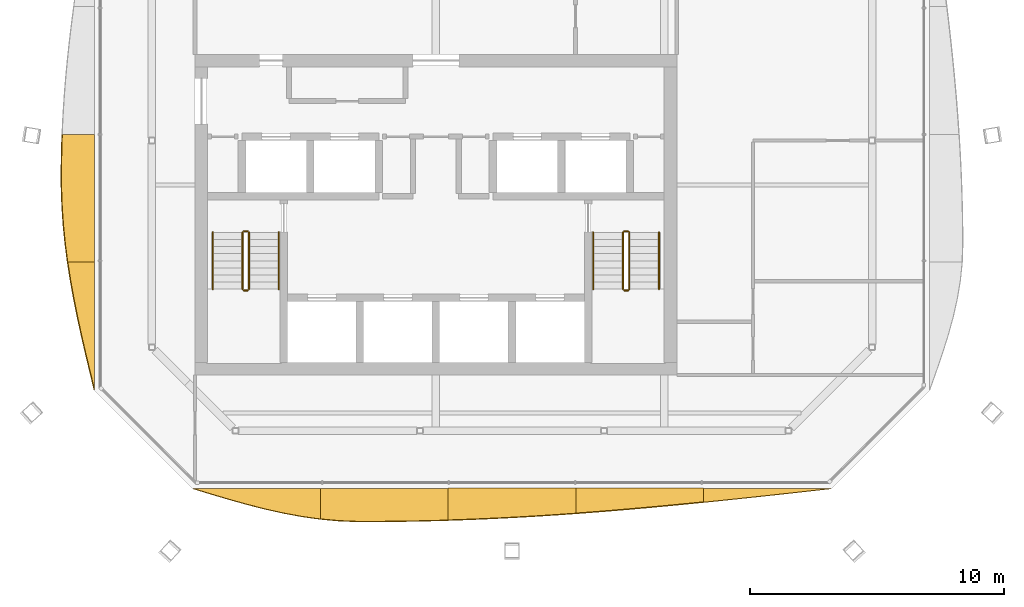
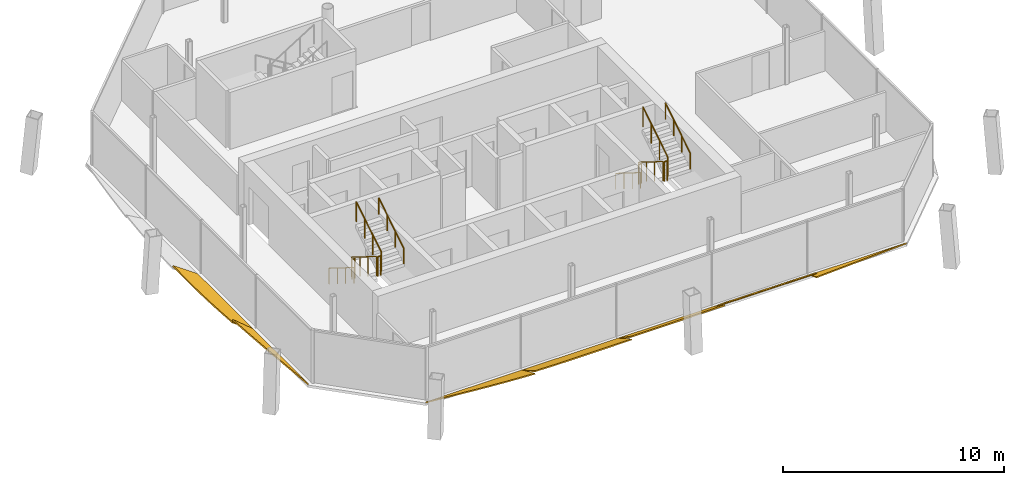
# One storey, part 12 of 14: 12 railings, 7 shading devices.
"""IFC4 building model written with IfcOpenShell, lengths in metres."""

from ifc_helpers import new_model, si_unit, direction, frame, origin, origin_2d, place, context, subcontext, project, spatial, polyline, circle, outline, extrude, material, layer, layer_set, type_object, element, save


model = new_model("IFC4")

# Units and contexts
model_context = context("Model", 3, precision=1e-05, world=origin(), true_north=direction((0.0, 1.0)))
body_context = subcontext(model_context, "Body", "Model", "MODEL_VIEW")
ifc_project = project(units=[si_unit("LENGTHUNIT", "METRE"), si_unit("AREAUNIT", "SQUARE_METRE"), si_unit("VOLUMEUNIT", "CUBIC_METRE"), si_unit("PLANEANGLEUNIT", "RADIAN"), si_unit("MASSUNIT", "GRAM", prefix="KILO")], contexts=[model_context])

# Site, building, storey
site_placement = place(None, origin())
site = spatial("IfcSite", under=ifc_project, at=site_placement, CompositionType="ELEMENT")
building_placement = place(site_placement, origin())
building = spatial("IfcBuilding", under=site, at=building_placement, Name="Tskaro Facet Tower", CompositionType="ELEMENT")
storey_placement = place(building_placement, frame((0.0, 0.0, 275.25)))
storey = spatial("IfcBuildingStorey", under=building, at=storey_placement, Name="L73", CompositionType="ELEMENT", Elevation=275.25)

# Shading devices
ifc_material_1 = material(Name="Bronze anodised aluminium 6063-T6", Category="aluminium")
ifc_layer = layer(ifc_material_1, 0.06005859375, Name="Bronze anodised aluminium 6063-T6")
ifc_layer_set = layer_set([ifc_layer], Name="Bronze anodised aluminium 6063-T6")
shading_device_type = type_object("IfcShadingDeviceType", Name="Bronze sun blade (FN1)", PredefinedType="USERDEFINED", material=ifc_layer_set)
shading_device_1_placement = place(storey_placement, frame((-9.5830078125, -16.470703125, 0.054443359375), z_axis=(1.3252264e-05, 0.42259666913, 0.906317855426), x_axis=(0.999999999912, -5.600363e-06, -1.2010764e-05)))
element("IfcShadingDevice", 1, at=shading_device_1_placement, inside=storey, type_object=shading_device_type, Name="Fin blade south 1", ObjectType="FIN", PredefinedType="USERDEFINED", context=body_context, shape_type="SweptSolid", body=[
    extrude(outline(polyline([(0.0, 0.0), (5.033203124558028, 0.0), (5.033203125581713, -1.3312220624197555), (4.314208983141624, -1.220574454406119), (3.5952148431941593, -1.0750895904892945), (2.8762207041572148, -0.8991331589118191), (2.1569824206936263, -0.6977197319614801), (1.4379882806749018, -0.47654261192696595), (0.7189941413006672, -0.241604620141765), (0.0, 0.0)])), origin(), (0.0, 0.0, -1.0), 0.06005859375),
])
shading_device_2_placement = place(storey_placement, frame((-4.5498046875, -16.466064453125, 0.052001953125), z_axis=(1.289567e-06, 0.499990919261, 0.866030646487), x_axis=(0.999999999999, -6.44772e-07, -1.116805e-06)))
element("IfcShadingDevice", 2, at=shading_device_2_placement, inside=storey, type_object=shading_device_type, Name="Fin blade south 2", ObjectType="FIN", PredefinedType="USERDEFINED", context=body_context, shape_type="SweptSolid", body=[
    extrude(outline(polyline([(0.0, 0.0), (5.033203124995815, 0.0), (5.033203125069744, -1.4444614677194572), (4.3142089844232325, -1.467869697158675), (3.5952148436276525, -1.4857065122810886), (2.8762207031130758, -1.4980612782544773), (2.1569824218244307, -1.5048446299110612), (1.6608886719091882, -1.5059344991553176), (1.437988281273098, -1.5039661939301077), (0.7189941406453249, -1.469293067761757), (5.3424024634083885e-11, -1.3931634637684724), (0.0, 0.0)])), origin(), (0.0, 0.0, -1.0), 0.06005859375),
])
shading_device_3_placement = place(storey_placement, frame((0.4833984375, -16.461669921875, 0.049072265625), z_axis=(-1.3357615e-05, 0.573640543259, 0.819107152302), x_axis=(0.999999999911, 7.662469e-06, 1.0941318e-05)))
element("IfcShadingDevice", 3, at=shading_device_3_placement, inside=storey, type_object=shading_device_type, Name="Fin blade south 3", ObjectType="FIN", PredefinedType="USERDEFINED", context=body_context, shape_type="SweptSolid", body=[
    extrude(outline(polyline([(0.0, 0.0), (5.033203124550973, 0.0), (5.03320312506369, -1.2026868982482992), (4.314208983790204, -1.2640492790163118), (3.595214843865316, -1.3210115101947941), (2.876220701016809, -1.3727534902371934), (2.1569824218328613, -1.419355339732925), (1.4379882830214923, -1.4608769870533425), (0.7189941404860016, -1.4968383569447856), (-1.231669908883807e-09, -1.5271795210359005), (0.0, 0.0)])), origin(), (0.0, 0.0, -1.0), 0.06005859375),
])
shading_device_4_placement = place(storey_placement, frame((5.5166015625, -16.45751953125, 0.0458984375), z_axis=(-1.5875348e-05, 0.642866551812, 0.765978195714), x_axis=(0.999999999874, 1.020573e-05, 1.216017e-05)))
element("IfcShadingDevice", 4, at=shading_device_4_placement, inside=storey, type_object=shading_device_type, Name="Fin blade south 4", ObjectType="FIN", PredefinedType="USERDEFINED", context=body_context, shape_type="SweptSolid", body=[
    extrude(outline(polyline([(0.0, 0.0), (5.033203124365749, -8.52657775419661e-21), (5.033203125335776, -0.7066768342736549), (4.314208985075541, -0.8000793692194978), (3.595214843489673, -0.8905432478720208), (2.8762207025926476, -0.9775375075985298), (2.1569824212823367, -1.0607181921617925), (1.4379882808086792, -1.1400853015618089), (0.718994140069548, -1.2152948795613467), (-1.4122155814699587e-09, -1.2860029699231736), (0.0, 0.0)])), origin(), (0.0, 0.0, -1.0), 0.06005859375),
])
shading_device_5_placement = place(storey_placement, frame((10.5498046875, -16.4755859375, 0.056396484375), z_axis=(-5.772297e-06, 0.342092678904, 0.939666216806), x_axis=(0.999999999983, 1.974661e-06, 5.424033e-06)))
element("IfcShadingDevice", 5, at=shading_device_5_placement, inside=storey, type_object=shading_device_type, Name="Fin blade south 5", ObjectType="FIN", PredefinedType="USERDEFINED", context=body_context, shape_type="SweptSolid", body=[
    extrude(outline(polyline([(0.0, 0.0), (5.033203124916149, 0.0), (4.3142089847231775, -0.08472661510600442), (3.595214843688075, -0.1691403007941057), (2.876220703617162, -0.2530951650872743), (2.1569824222011786, -0.335965349149704), (1.4379882806901179, -0.41775085298139464), (0.7189941399052676, -0.49776344448994747), (-1.5337197347628913e-10, -0.5760031236753622), (0.0, 0.0)])), origin(), (0.0, 0.0, -1.0), 0.06005859375),
])
shading_device_6_placement = place(storey_placement, frame((-13.461669921875, -2.510986328125, 0.049072265625), z_axis=(0.573636834374, -8.404166e-06, 0.819109749777), x_axis=(-4.820939e-06, -0.999999999965, -6.883934e-06)))
element("IfcShadingDevice", 6, at=shading_device_6_placement, inside=storey, type_object=shading_device_type, Name="Fin blade west 3", ObjectType="FIN", PredefinedType="USERDEFINED", context=body_context, shape_type="SweptSolid", body=[
    extrude(outline(polyline([(0.0, 0.0), (5.036132812322149, 0.0), (5.036132812781835, -1.2896502674858943), (4.316650390127647, -1.4035747294105265), (3.597167968772097, -1.491758154865113), (2.8776855473685337, -1.5531205358740654), (2.158203125073965, -1.5862418384402623), (1.6921386719760936, -1.592202070539292), (1.438964843690369, -1.5913220405299646), (0.7194824211461119, -1.578861572344111), (-2.4783248048313453e-10, -1.5517005018769439), (0.0, 0.0)])), origin(), (0.0, 0.0, -1.0), 0.06005859375),
])
shading_device_7_placement = place(storey_placement, frame((-13.45751953125, -7.547119140625, 0.0458984375), z_axis=(0.642900939719, 3.2404048e-05, 0.765949332958), x_axis=(2.0832593e-05, -0.999999999475, 2.4819859e-05)))
element("IfcShadingDevice", 7, at=shading_device_7_placement, inside=storey, type_object=shading_device_type, Name="Fin blade west 4", ObjectType="FIN", PredefinedType="USERDEFINED", context=body_context, shape_type="SweptSolid", body=[
    extrude(outline(polyline([(0.0, 0.0), (5.0358886692311025, -1.7062254495131302e-20), (4.3164062498269145, -0.22891134965978385), (3.5969238298869013, -0.45366516717252175), (2.8776855444140264, -0.6702909197401326), (2.15820312276834, -0.8746010341039241), (1.4387207009262593, -1.0629689350520986), (0.7192382812723199, -1.2322689631964598), (-5.303142431252786e-09, -1.379061542674175), (0.0, 0.0)])), origin(), (0.0, 0.0, -1.0), 0.06005859375),
])

# Railings
ifc_material_2 = material(Name="Stainless steel", Category="steel")
railing_type_1 = type_object("IfcRailingType", Name="RL-GUARD-1100", PredefinedType="GUARDRAIL", material=ifc_material_2)
railing_1_placement = place(storey_placement, frame((-7.625, -6.375, 0.175048828125)))
element("IfcRailing", 8, at=railing_1_placement, inside=storey, type_object=railing_type_1, Name="L73 ST-1 stair guard 1", PredefinedType="GUARDRAIL", context=body_context, shape_type="SweptSolid", body=[
    extrude(circle(Radius=0.02392578125, at=origin_2d()), frame((0.0, 0.0, 1.076171875), z_axis=(0.0, -0.848013881152, 0.529974015752), x_axis=(1.0, 0.0, 0.0)), (0.0, 0.0, 1.0), 2.641357421875),
    extrude(circle(Radius=0.02099609375, at=origin_2d()), origin(), (0.0, 0.0, 1.0), 1.052001953125),
    extrude(circle(Radius=0.02099609375, at=origin_2d()), frame((0.0, -0.74658203125, 0.466552734375)), (0.0, 0.0, 1.0), 1.052001953125),
    extrude(circle(Radius=0.02099609375, at=origin_2d()), frame((0.0, -1.493408203125, 0.933349609375)), (0.0, 0.0, 1.0), 1.052001953125),
    extrude(circle(Radius=0.02099609375, at=origin_2d()), frame((0.0, -2.239990234375, 1.39990234375)), (0.0, 0.0, 1.0), 1.052001953125),
])
railing_2_placement = place(storey_placement, frame((-7.574951171875, -8.6650390625, 1.574951171875)))
element("IfcRailing", 9, at=railing_2_placement, inside=storey, type_object=railing_type_1, Name="L73 ST-1 stair guard 2", PredefinedType="GUARDRAIL", context=body_context, shape_type="SweptSolid", body=[
    extrude(circle(Radius=0.02392578125, at=origin_2d()), frame((0.0, 0.0, 1.076171875), z_axis=(1.0, 0.0, 0.0), x_axis=(0.0, 1.0, 0.0)), (0.0, 0.0, 1.0), 0.14990234375),
    extrude(circle(Radius=0.02099609375, at=origin_2d()), origin(), (0.0, 0.0, 1.0), 1.052001953125),
    extrude(circle(Radius=0.02099609375, at=origin_2d()), frame((0.14990234375, 0.0, 0.0)), (0.0, 0.0, 1.0), 1.052001953125),
])
railing_3_placement = place(storey_placement, frame((-7.375, -8.614990234375, 1.75)))
element("IfcRailing", 10, at=railing_3_placement, inside=storey, type_object=railing_type_1, Name="L73 ST-1 stair guard 3", PredefinedType="GUARDRAIL", context=body_context, shape_type="SweptSolid", body=[
    extrude(circle(Radius=0.02392578125, at=origin_2d()), frame((0.0, 0.0, 1.076171875), z_axis=(0.0, 0.848013881152, 0.529974015752), x_axis=(-1.0, 0.0, 0.0)), (0.0, 0.0, 1.0), 2.641357421875),
    extrude(circle(Radius=0.02099609375, at=origin_2d()), origin(), (0.0, 0.0, 1.0), 1.052001953125),
    extrude(circle(Radius=0.02099609375, at=origin_2d()), frame((0.0, 0.74658203125, 0.466552734375)), (0.0, 0.0, 1.0), 1.052001953125),
    extrude(circle(Radius=0.02099609375, at=origin_2d()), frame((0.0, 1.493408203125, 0.933349609375)), (0.0, 0.0, 1.0), 1.052001953125),
    extrude(circle(Radius=0.02099609375, at=origin_2d()), frame((0.0, 2.239990234375, 1.39990234375)), (0.0, 0.0, 1.0), 1.052001953125),
])
railing_4_placement = place(storey_placement, frame((-7.574951171875, -6.324951171875, 0.0)))
element("IfcRailing", 11, at=railing_4_placement, inside=storey, type_object=railing_type_1, Name="L73 ST-1 stair guard 4", PredefinedType="GUARDRAIL", context=body_context, shape_type="SweptSolid", body=[
    extrude(circle(Radius=0.02392578125, at=origin_2d()), frame((0.0, 0.0, 1.076171875), z_axis=(1.0, 0.0, 0.0), x_axis=(0.0, 1.0, 0.0)), (0.0, 0.0, 1.0), 0.14990234375),
    extrude(circle(Radius=0.02099609375, at=origin_2d()), origin(), (0.0, 0.0, 1.0), 1.052001953125),
    extrude(circle(Radius=0.02099609375, at=origin_2d()), frame((0.14990234375, 0.0, 0.0)), (0.0, 0.0, 1.0), 1.052001953125),
])
railing_5_placement = place(storey_placement, frame((7.375, -6.375, 0.175048828125)))
element("IfcRailing", 12, at=railing_5_placement, inside=storey, type_object=railing_type_1, Name="L73 ST-2 stair guard 1", PredefinedType="GUARDRAIL", context=body_context, shape_type="SweptSolid", body=[
    extrude(circle(Radius=0.02392578125, at=origin_2d()), frame((0.0, 0.0, 1.076171875), z_axis=(0.0, -0.848013881152, 0.529974015752), x_axis=(1.0, 0.0, 0.0)), (0.0, 0.0, 1.0), 2.641357421875),
    extrude(circle(Radius=0.02099609375, at=origin_2d()), origin(), (0.0, 0.0, 1.0), 1.052001953125),
    extrude(circle(Radius=0.02099609375, at=origin_2d()), frame((0.0, -0.74658203125, 0.466552734375)), (0.0, 0.0, 1.0), 1.052001953125),
    extrude(circle(Radius=0.02099609375, at=origin_2d()), frame((0.0, -1.493408203125, 0.933349609375)), (0.0, 0.0, 1.0), 1.052001953125),
    extrude(circle(Radius=0.02099609375, at=origin_2d()), frame((0.0, -2.239990234375, 1.39990234375)), (0.0, 0.0, 1.0), 1.052001953125),
])
railing_6_placement = place(storey_placement, frame((7.425048828125, -8.6650390625, 1.574951171875)))
element("IfcRailing", 13, at=railing_6_placement, inside=storey, type_object=railing_type_1, Name="L73 ST-2 stair guard 2", PredefinedType="GUARDRAIL", context=body_context, shape_type="SweptSolid", body=[
    extrude(circle(Radius=0.02392578125, at=origin_2d()), frame((0.0, 0.0, 1.076171875), z_axis=(1.0, 0.0, 0.0), x_axis=(0.0, 1.0, 0.0)), (0.0, 0.0, 1.0), 0.14990234375),
    extrude(circle(Radius=0.02099609375, at=origin_2d()), origin(), (0.0, 0.0, 1.0), 1.052001953125),
    extrude(circle(Radius=0.02099609375, at=origin_2d()), frame((0.14990234375, 0.0, 0.0)), (0.0, 0.0, 1.0), 1.052001953125),
])
railing_7_placement = place(storey_placement, frame((7.625, -8.614990234375, 1.75)))
element("IfcRailing", 14, at=railing_7_placement, inside=storey, type_object=railing_type_1, Name="L73 ST-2 stair guard 3", PredefinedType="GUARDRAIL", context=body_context, shape_type="SweptSolid", body=[
    extrude(circle(Radius=0.02392578125, at=origin_2d()), frame((0.0, 0.0, 1.076171875), z_axis=(0.0, 0.848013881152, 0.529974015752), x_axis=(-1.0, 0.0, 0.0)), (0.0, 0.0, 1.0), 2.641357421875),
    extrude(circle(Radius=0.02099609375, at=origin_2d()), origin(), (0.0, 0.0, 1.0), 1.052001953125),
    extrude(circle(Radius=0.02099609375, at=origin_2d()), frame((0.0, 0.74658203125, 0.466552734375)), (0.0, 0.0, 1.0), 1.052001953125),
    extrude(circle(Radius=0.02099609375, at=origin_2d()), frame((0.0, 1.493408203125, 0.933349609375)), (0.0, 0.0, 1.0), 1.052001953125),
    extrude(circle(Radius=0.02099609375, at=origin_2d()), frame((0.0, 2.239990234375, 1.39990234375)), (0.0, 0.0, 1.0), 1.052001953125),
])
railing_8_placement = place(storey_placement, frame((7.425048828125, -6.324951171875, 0.0)))
element("IfcRailing", 15, at=railing_8_placement, inside=storey, type_object=railing_type_1, Name="L73 ST-2 stair guard 4", PredefinedType="GUARDRAIL", context=body_context, shape_type="SweptSolid", body=[
    extrude(circle(Radius=0.02392578125, at=origin_2d()), frame((0.0, 0.0, 1.076171875), z_axis=(1.0, 0.0, 0.0), x_axis=(0.0, 1.0, 0.0)), (0.0, 0.0, 1.0), 0.14990234375),
    extrude(circle(Radius=0.02099609375, at=origin_2d()), origin(), (0.0, 0.0, 1.0), 1.052001953125),
    extrude(circle(Radius=0.02099609375, at=origin_2d()), frame((0.14990234375, 0.0, 0.0)), (0.0, 0.0, 1.0), 1.052001953125),
])
railing_type_2 = type_object("IfcRailingType", Name="RL-HANDRAIL-900", PredefinedType="HANDRAIL", material=ifc_material_2)
railing_9_placement = place(storey_placement, frame((-8.800048828125, -6.375, 0.175048828125)))
element("IfcRailing", 16, at=railing_9_placement, inside=storey, type_object=railing_type_2, Name="L73 ST-1 stair handrail 1", PredefinedType="HANDRAIL", context=body_context, shape_type="SweptSolid", body=[
    extrude(circle(Radius=0.02392578125, at=origin_2d()), frame((0.0, 0.0, 0.8759765625), z_axis=(0.0, -0.848013881152, 0.529974015752), x_axis=(1.0, 0.0, 0.0)), (0.0, 0.0, 1.0), 2.641357421875),
    extrude(circle(Radius=0.02099609375, at=origin_2d()), origin(), (0.0, 0.0, 1.0), 0.851806640625),
    extrude(circle(Radius=0.02099609375, at=origin_2d()), frame((0.0, -0.74658203125, 0.466552734375)), (0.0, 0.0, 1.0), 0.851806640625),
    extrude(circle(Radius=0.02099609375, at=origin_2d()), frame((0.0, -1.493408203125, 0.933349609375)), (0.0, 0.0, 1.0), 0.851806640625),
    extrude(circle(Radius=0.02099609375, at=origin_2d()), frame((0.0, -2.239990234375, 1.39990234375)), (0.0, 0.0, 1.0), 0.851806640625),
])
railing_10_placement = place(storey_placement, frame((-6.199951171875, -8.614990234375, 1.75)))
element("IfcRailing", 17, at=railing_10_placement, inside=storey, type_object=railing_type_2, Name="L73 ST-1 stair handrail 2", PredefinedType="HANDRAIL", context=body_context, shape_type="SweptSolid", body=[
    extrude(circle(Radius=0.02392578125, at=origin_2d()), frame((0.0, 0.0, 0.8759765625), z_axis=(0.0, 0.848013881152, 0.529974015752), x_axis=(-1.0, 0.0, 0.0)), (0.0, 0.0, 1.0), 2.641357421875),
    extrude(circle(Radius=0.02099609375, at=origin_2d()), origin(), (0.0, 0.0, 1.0), 0.851806640625),
    extrude(circle(Radius=0.02099609375, at=origin_2d()), frame((0.0, 0.74658203125, 0.466552734375)), (0.0, 0.0, 1.0), 0.851806640625),
    extrude(circle(Radius=0.02099609375, at=origin_2d()), frame((0.0, 1.493408203125, 0.933349609375)), (0.0, 0.0, 1.0), 0.851806640625),
    extrude(circle(Radius=0.02099609375, at=origin_2d()), frame((0.0, 2.239990234375, 1.39990234375)), (0.0, 0.0, 1.0), 0.851806640625),
])
railing_11_placement = place(storey_placement, frame((6.199951171875, -6.375, 0.175048828125)))
element("IfcRailing", 18, at=railing_11_placement, inside=storey, type_object=railing_type_2, Name="L73 ST-2 stair handrail 1", PredefinedType="HANDRAIL", context=body_context, shape_type="SweptSolid", body=[
    extrude(circle(Radius=0.02392578125, at=origin_2d()), frame((0.0, 0.0, 0.8759765625), z_axis=(0.0, -0.848013881152, 0.529974015752), x_axis=(1.0, 0.0, 0.0)), (0.0, 0.0, 1.0), 2.641357421875),
    extrude(circle(Radius=0.02099609375, at=origin_2d()), origin(), (0.0, 0.0, 1.0), 0.851806640625),
    extrude(circle(Radius=0.02099609375, at=origin_2d()), frame((0.0, -0.74658203125, 0.466552734375)), (0.0, 0.0, 1.0), 0.851806640625),
    extrude(circle(Radius=0.02099609375, at=origin_2d()), frame((0.0, -1.493408203125, 0.933349609375)), (0.0, 0.0, 1.0), 0.851806640625),
    extrude(circle(Radius=0.02099609375, at=origin_2d()), frame((0.0, -2.239990234375, 1.39990234375)), (0.0, 0.0, 1.0), 0.851806640625),
])
railing_12_placement = place(storey_placement, frame((8.800048828125, -8.614990234375, 1.75)))
element("IfcRailing", 19, at=railing_12_placement, inside=storey, type_object=railing_type_2, Name="L73 ST-2 stair handrail 2", PredefinedType="HANDRAIL", context=body_context, shape_type="SweptSolid", body=[
    extrude(circle(Radius=0.02392578125, at=origin_2d()), frame((0.0, 0.0, 0.8759765625), z_axis=(0.0, 0.848013881152, 0.529974015752), x_axis=(-1.0, 0.0, 0.0)), (0.0, 0.0, 1.0), 2.641357421875),
    extrude(circle(Radius=0.02099609375, at=origin_2d()), origin(), (0.0, 0.0, 1.0), 0.851806640625),
    extrude(circle(Radius=0.02099609375, at=origin_2d()), frame((0.0, 0.74658203125, 0.466552734375)), (0.0, 0.0, 1.0), 0.851806640625),
    extrude(circle(Radius=0.02099609375, at=origin_2d()), frame((0.0, 1.493408203125, 0.933349609375)), (0.0, 0.0, 1.0), 0.851806640625),
    extrude(circle(Radius=0.02099609375, at=origin_2d()), frame((0.0, 2.239990234375, 1.39990234375)), (0.0, 0.0, 1.0), 0.851806640625),
])

save(model, "model.ifc")
